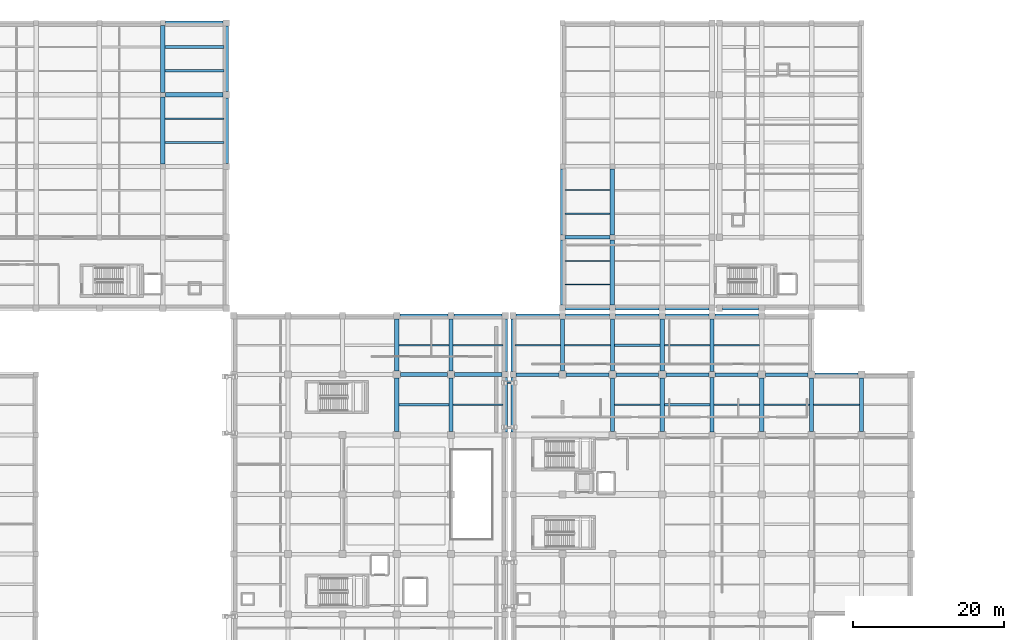
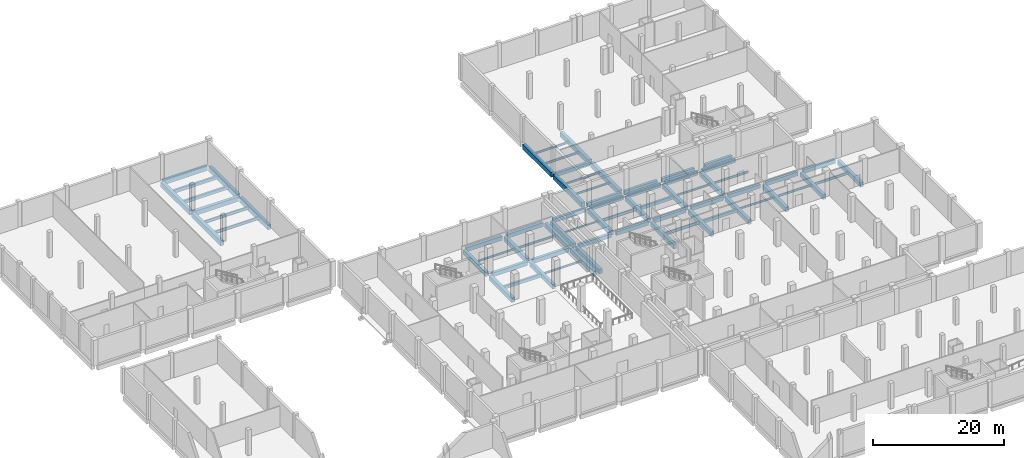
# One storey, part 8 of 31: 72 beams.
"""IFC4 building model written with IfcOpenShell, lengths in metres."""

from ifc_helpers import new_model, si_unit, direction, frame, origin, origin_2d, place, context, subcontext, project, spatial, rectangle, hollow_rectangle, i_section, extrude, material, material_profile, profile_set, type_object, element, save


model = new_model("IFC4")

# Units and contexts
model_context = context("Model", 3, precision=1e-05, world=origin(), true_north=direction((0.0, 1.0)))
body_context = subcontext(model_context, "Body", "Model", "MODEL_VIEW")
ifc_project = project(units=[si_unit("LENGTHUNIT", "METRE"), si_unit("AREAUNIT", "SQUARE_METRE"), si_unit("VOLUMEUNIT", "CUBIC_METRE"), si_unit("PLANEANGLEUNIT", "RADIAN"), si_unit("MASSUNIT", "GRAM", prefix="KILO")], contexts=[model_context])

# Site, building, storey
site_placement = place(None, origin())
site = spatial("IfcSite", under=ifc_project, at=site_placement, CompositionType="ELEMENT")
building_placement = place(site_placement, origin())
building = spatial("IfcBuilding", under=site, at=building_placement, Name="Kelarvand Opera House", CompositionType="ELEMENT")
storey_placement = place(building_placement, frame((0.0, 0.0, -4.800048828125)))
storey = spatial("IfcBuildingStorey", under=building, at=storey_placement, Name="B1", CompositionType="ELEMENT", Elevation=-4.800048828125)

# Beams
ifc_material_1 = material(Name="Concrete C35/45", Category="concrete")
ifc_material_profile_1 = material_profile(ifc_material_1, rectangle(XDim=0.35009765625, YDim=0.60009765625, at=origin_2d()), Name="RC 350x600", Category="concrete")
ifc_profile_set_1 = profile_set([ifc_material_profile_1], Name="Concrete C35/45")
beam_type_1 = type_object("IfcBeamType", Name="Structural Beam RC 350x600 BM-RC350x600", PredefinedType="BEAM", material=ifc_profile_set_1)
beam_1_placement = place(storey_placement, frame((102.47509765625, 82.300048828125, -0.599853515625), z_axis=(1.0, 0.0, 0.0), x_axis=(0.0, 1.0, 0.0)))
element("IfcBeam", 1, at=beam_1_placement, inside=storey, type_object=beam_type_1, Name="V1 B1 Beam BM-RC350x600", PredefinedType="BEAM", context=body_context, shape_type="SweptSolid", body=[
    extrude(rectangle(XDim=0.35009765625, YDim=0.60009765625, at=origin_2d()), origin(), (0.0, 0.0, 1.0), 6.0498046875),
])
beam_2_placement = place(storey_placement, frame((109.074951171875, 74.39990234375, -0.599853515625), z_axis=(1.0, 0.0, 0.0), x_axis=(0.0, 1.0, 0.0)))
element("IfcBeam", 2, at=beam_2_placement, inside=storey, type_object=beam_type_1, Name="V1 B1 Beam BM-RC350x600", PredefinedType="BEAM", context=body_context, shape_type="SweptSolid", body=[
    extrude(rectangle(XDim=0.35009765625, YDim=0.60009765625, at=origin_2d()), origin(), (0.0, 0.0, 1.0), 6.050048828125),
])
beam_3_placement = place(storey_placement, frame((73.875, 74.39990234375, -0.599853515625), z_axis=(1.0, 0.0, 0.0), x_axis=(0.0, 1.0, 0.0)))
element("IfcBeam", 3, at=beam_3_placement, inside=storey, type_object=beam_type_1, Name="V2 B1 Beam BM-RC350x600", PredefinedType="BEAM", context=body_context, shape_type="SweptSolid", body=[
    extrude(rectangle(XDim=0.35009765625, YDim=0.60009765625, at=origin_2d()), origin(), (0.0, 0.0, 1.0), 6.64990234375),
])
for number, where, z_axis, x_axis, name in (
    (4, (42.89990234375, 118.666748046875, -0.599853515625), (1.0, 0.0, 0.0), (0.0, 1.0, 0.0), "V3 B1 Beam BM-RC350x600"),
    (5, (42.89990234375, 121.833251953125, -0.599853515625), (1.0, 0.0, 0.0), (0.0, 1.0, 0.0), "V3 B1 Beam BM-RC350x600"),
):
    element("IfcBeam", number, at=place(storey_placement, frame(where, z_axis=z_axis, x_axis=x_axis)), inside=storey, type_object=beam_type_1, Name=name, PredefinedType="BEAM", context=body_context, shape_type="SweptSolid", body=[
        extrude(rectangle(XDim=0.35009765625, YDim=0.60009765625, at=origin_2d()), origin(), (0.0, 0.0, 1.0), 7.800048828125),
    ])
ifc_material_2 = material(Name="Concrete C40/50", Category="concrete")
ifc_material_profile_2 = material_profile(ifc_material_2, rectangle(XDim=0.449951171875, YDim=0.699951171875, at=origin_2d()), Name="RC 450x700", Category="concrete")
ifc_profile_set_2 = profile_set([ifc_material_profile_2], Name="Concrete C40/50")
beam_type_2 = type_object("IfcBeamType", Name="Structural Beam RC 450x700 BM-RC450x700", PredefinedType="BEAM", material=ifc_profile_set_2)
beam_4_placement = place(storey_placement, frame((89.409912109375, 78.39990234375, -0.64990234375), z_axis=(1.0, 0.0, 0.0), x_axis=(0.0, 1.0, 0.0)))
element("IfcBeam", 6, at=beam_4_placement, inside=storey, type_object=beam_type_2, Name="V1 B1 Beam BM-RC450x700", PredefinedType="BEAM", context=body_context, shape_type="SweptSolid", body=[
    extrude(rectangle(XDim=0.449951171875, YDim=0.699951171875, at=origin_2d()), origin(), (0.0, 0.0, 1.0), 5.715087890625),
])
beam_5_placement = place(storey_placement, frame((96.074951171875, 78.39990234375, -0.64990234375), z_axis=(1.0, 0.0, 0.0), x_axis=(0.0, 1.0, 0.0)))
element("IfcBeam", 7, at=beam_5_placement, inside=storey, type_object=beam_type_2, Name="V1 B1 Beam BM-RC450x700", PredefinedType="BEAM", context=body_context, shape_type="SweptSolid", body=[
    extrude(rectangle(XDim=0.449951171875, YDim=0.699951171875, at=origin_2d()), origin(), (0.0, 0.0, 1.0), 5.650146484375),
])
beam_6_placement = place(storey_placement, frame((102.675048828125, 78.39990234375, -0.64990234375), z_axis=(1.0, 0.0, 0.0), x_axis=(0.0, 1.0, 0.0)))
element("IfcBeam", 8, at=beam_6_placement, inside=storey, type_object=beam_type_2, Name="V1 B1 Beam BM-RC450x700", PredefinedType="BEAM", context=body_context, shape_type="SweptSolid", body=[
    extrude(rectangle(XDim=0.449951171875, YDim=0.699951171875, at=origin_2d()), origin(), (0.0, 0.0, 1.0), 5.64990234375),
])
beam_7_placement = place(storey_placement, frame((109.27490234375, 78.39990234375, -0.64990234375), z_axis=(1.0, 0.0, 0.0), x_axis=(0.0, 1.0, 0.0)))
element("IfcBeam", 9, at=beam_7_placement, inside=storey, type_object=beam_type_2, Name="V1 B1 Beam BM-RC450x700", PredefinedType="BEAM", context=body_context, shape_type="SweptSolid", body=[
    extrude(rectangle(XDim=0.449951171875, YDim=0.699951171875, at=origin_2d()), origin(), (0.0, 0.0, 1.0), 5.715087890625),
])
beam_8_placement = place(storey_placement, frame((115.81005859375, 78.39990234375, -0.64990234375), z_axis=(1.0, 0.0, 0.0), x_axis=(0.0, 1.0, 0.0)))
element("IfcBeam", 10, at=beam_8_placement, inside=storey, type_object=beam_type_2, Name="V1 B1 Beam BM-RC450x700", PredefinedType="BEAM", context=body_context, shape_type="SweptSolid", body=[
    extrude(rectangle(XDim=0.449951171875, YDim=0.699951171875, at=origin_2d()), origin(), (0.0, 0.0, 1.0), 5.71484375),
])
beam_9_placement = place(storey_placement, frame((122.47509765625, 78.39990234375, -0.64990234375), z_axis=(1.0, 0.0, 0.0), x_axis=(0.0, 1.0, 0.0)))
element("IfcBeam", 11, at=beam_9_placement, inside=storey, type_object=beam_type_2, Name="V1 B1 Beam BM-RC450x700", PredefinedType="BEAM", context=body_context, shape_type="SweptSolid", body=[
    extrude(rectangle(XDim=0.449951171875, YDim=0.699951171875, at=origin_2d()), origin(), (0.0, 0.0, 1.0), 5.64990234375),
])
beam_10_placement = place(storey_placement, frame((129.074951171875, 78.39990234375, -0.64990234375), z_axis=(1.0, 0.0, 0.0), x_axis=(0.0, 1.0, 0.0)))
element("IfcBeam", 12, at=beam_10_placement, inside=storey, type_object=beam_type_2, Name="V1 B1 Beam BM-RC450x700", PredefinedType="BEAM", context=body_context, shape_type="SweptSolid", body=[
    extrude(rectangle(XDim=0.449951171875, YDim=0.699951171875, at=origin_2d()), origin(), (0.0, 0.0, 1.0), 5.650146484375),
])
for number, where, z_axis, x_axis, name in (
    (13, (89.409912109375, 86.199951171875, -0.64990234375), (1.0, 0.0, 0.0), (0.0, 1.0, 0.0), "V1 B1 Beam BM-RC450x700"),
    (14, (96.010009765625, 86.199951171875, -0.64990234375), (1.0, 0.0, 0.0), (0.0, 1.0, 0.0), "V1 B1 Beam BM-RC450x700"),
):
    element("IfcBeam", number, at=place(storey_placement, frame(where, z_axis=z_axis, x_axis=x_axis)), inside=storey, type_object=beam_type_2, Name=name, PredefinedType="BEAM", context=body_context, shape_type="SweptSolid", body=[
        extrude(rectangle(XDim=0.449951171875, YDim=0.699951171875, at=origin_2d()), origin(), (0.0, 0.0, 1.0), 5.780029296875),
    ])
beam_11_placement = place(storey_placement, frame((102.610107421875, 86.199951171875, -0.64990234375), z_axis=(1.0, 0.0, 0.0), x_axis=(0.0, 1.0, 0.0)))
element("IfcBeam", 15, at=beam_11_placement, inside=storey, type_object=beam_type_2, Name="V1 B1 Beam BM-RC450x700", PredefinedType="BEAM", context=body_context, shape_type="SweptSolid", body=[
    extrude(rectangle(XDim=0.449951171875, YDim=0.699951171875, at=origin_2d()), origin(), (0.0, 0.0, 1.0), 5.77978515625),
])
for number, where, z_axis, x_axis, name in (
    (16, (109.2099609375, 86.199951171875, -0.64990234375), (1.0, 0.0, 0.0), (0.0, 1.0, 0.0), "V1 B1 Beam BM-RC450x700"),
    (17, (115.81005859375, 86.199951171875, -0.64990234375), (1.0, 0.0, 0.0), (0.0, 1.0, 0.0), "V1 B1 Beam BM-RC450x700"),
    (18, (96.010009765625, 87.199951171875, -0.64990234375), (1.0, 0.0, 0.0), (0.0, 1.0, 0.0), "V5 B1 Beam BM-RC450x700"),
):
    element("IfcBeam", number, at=place(storey_placement, frame(where, z_axis=z_axis, x_axis=x_axis)), inside=storey, type_object=beam_type_2, Name=name, PredefinedType="BEAM", context=body_context, shape_type="SweptSolid", body=[
        extrude(rectangle(XDim=0.449951171875, YDim=0.699951171875, at=origin_2d()), origin(), (0.0, 0.0, 1.0), 5.780029296875),
    ])
beam_12_placement = place(storey_placement, frame((102.610107421875, 87.199951171875, -0.64990234375), z_axis=(1.0, 0.0, 0.0), x_axis=(0.0, 1.0, 0.0)))
element("IfcBeam", 19, at=beam_12_placement, inside=storey, type_object=beam_type_2, Name="V5 B1 Beam BM-RC450x700", PredefinedType="BEAM", context=body_context, shape_type="SweptSolid", body=[
    extrude(rectangle(XDim=0.449951171875, YDim=0.699951171875, at=origin_2d()), origin(), (0.0, 0.0, 1.0), 5.77978515625),
])
beam_13_placement = place(storey_placement, frame((109.2099609375, 87.199951171875, -0.64990234375), z_axis=(1.0, 0.0, 0.0), x_axis=(0.0, 1.0, 0.0)))
element("IfcBeam", 20, at=beam_13_placement, inside=storey, type_object=beam_type_2, Name="V5 B1 Beam BM-RC450x700", PredefinedType="BEAM", context=body_context, shape_type="SweptSolid", body=[
    extrude(rectangle(XDim=0.449951171875, YDim=0.699951171875, at=origin_2d()), origin(), (0.0, 0.0, 1.0), 5.780029296875),
])
beam_14_placement = place(storey_placement, frame((116.81005859375, 87.199951171875, -0.64990234375), z_axis=(1.0, 0.0, 0.0), x_axis=(0.0, 1.0, 0.0)))
element("IfcBeam", 21, at=beam_14_placement, inside=storey, type_object=beam_type_2, Name="V5 B1 Beam BM-RC450x700", PredefinedType="BEAM", context=body_context, shape_type="SweptSolid", body=[
    extrude(rectangle(XDim=0.449951171875, YDim=0.699951171875, at=origin_2d()), origin(), (0.0, 0.0, 1.0), 4.780029296875),
])
beam_15_placement = place(storey_placement, frame((95.925048828125, 96.60009765625, -0.64990234375), z_axis=(1.0, 0.0, 0.0), x_axis=(0.0, 1.0, 0.0)))
element("IfcBeam", 22, at=beam_15_placement, inside=storey, type_object=beam_type_2, Name="V5 B1 Beam BM-RC450x700", PredefinedType="BEAM", context=body_context, shape_type="SweptSolid", body=[
    extrude(rectangle(XDim=0.449951171875, YDim=0.699951171875, at=origin_2d()), origin(), (0.0, 0.0, 1.0), 5.949951171875),
])
ifc_material_profile_3 = material_profile(ifc_material_2, rectangle(XDim=0.5, YDim=0.75, at=origin_2d()), Name="RC 500x750", Category="concrete")
ifc_profile_set_3 = profile_set([ifc_material_profile_3], Name="Concrete C40/50")
beam_type_3 = type_object("IfcBeamType", Name="Structural Beam RC 500x750 BM-RC500x750", PredefinedType="BEAM", material=ifc_profile_set_3)
beam_16_placement = place(storey_placement, frame((74.074951171875, 78.39990234375, -0.675048828125), z_axis=(1.0, 0.0, 0.0), x_axis=(0.0, 1.0, 0.0)))
element("IfcBeam", 23, at=beam_16_placement, inside=storey, type_object=beam_type_3, Name="V2 B1 Beam BM-RC500x750", PredefinedType="BEAM", context=body_context, shape_type="SweptSolid", body=[
    extrude(rectangle(XDim=0.5, YDim=0.75, at=origin_2d()), origin(), (0.0, 0.0, 1.0), 6.25),
])
beam_17_placement = place(storey_placement, frame((81.27490234375, 78.39990234375, -0.675048828125), z_axis=(1.0, 0.0, 0.0), x_axis=(0.0, 1.0, 0.0)))
element("IfcBeam", 24, at=beam_17_placement, inside=storey, type_object=beam_type_3, Name="V2 B1 Beam BM-RC500x750", PredefinedType="BEAM", context=body_context, shape_type="SweptSolid", body=[
    extrude(rectangle(XDim=0.5, YDim=0.75, at=origin_2d()), origin(), (0.0, 0.0, 1.0), 6.315185546875),
])
beam_18_placement = place(storey_placement, frame((74.010009765625, 86.199951171875, -0.675048828125), z_axis=(1.0, 0.0, 0.0), x_axis=(0.0, 1.0, 0.0)))
element("IfcBeam", 25, at=beam_18_placement, inside=storey, type_object=beam_type_3, Name="V2 B1 Beam BM-RC500x750", PredefinedType="BEAM", context=body_context, shape_type="SweptSolid", body=[
    extrude(rectangle(XDim=0.5, YDim=0.75, at=origin_2d()), origin(), (0.0, 0.0, 1.0), 6.3798828125),
])
beam_19_placement = place(storey_placement, frame((81.2099609375, 86.199951171875, -0.675048828125), z_axis=(1.0, 0.0, 0.0), x_axis=(0.0, 1.0, 0.0)))
element("IfcBeam", 26, at=beam_19_placement, inside=storey, type_object=beam_type_3, Name="V2 B1 Beam BM-RC500x750", PredefinedType="BEAM", context=body_context, shape_type="SweptSolid", body=[
    extrude(rectangle(XDim=0.5, YDim=0.75, at=origin_2d()), origin(), (0.0, 0.0, 1.0), 6.380126953125),
])
ifc_material_profile_4 = material_profile(ifc_material_2, rectangle(XDim=0.550048828125, YDim=0.85009765625, at=origin_2d()), Name="RC 550x850", Category="concrete")
ifc_profile_set_4 = profile_set([ifc_material_profile_4], Name="Concrete C40/50")
beam_type_4 = type_object("IfcBeamType", Name="Structural Beam RC 550x850 BM-RC550x850", PredefinedType="BEAM", material=ifc_profile_set_4)
beam_20_placement = place(storey_placement, frame((89.0, 70.81005859375, -0.724853515625), z_axis=(0.0, 1.0, 0.0), x_axis=(-1.0, 0.0, 0.0)))
element("IfcBeam", 27, at=beam_20_placement, inside=storey, type_object=beam_type_4, Name="V1 B1 Beam BM-RC550x850", PredefinedType="BEAM", context=body_context, shape_type="SweptSolid", body=[
    extrude(rectangle(XDim=0.550048828125, YDim=0.85009765625, at=origin_2d()), origin(), (0.0, 0.0, 1.0), 7.179931640625),
])
beam_21_placement = place(storey_placement, frame((89.0, 78.81005859375, -0.724853515625), z_axis=(0.0, 1.0, 0.0), x_axis=(-1.0, 0.0, 0.0)))
element("IfcBeam", 28, at=beam_21_placement, inside=storey, type_object=beam_type_4, Name="V1 B1 Beam BM-RC550x850", PredefinedType="BEAM", context=body_context, shape_type="SweptSolid", body=[
    extrude(rectangle(XDim=0.550048828125, YDim=0.85009765625, at=origin_2d()), origin(), (0.0, 0.0, 1.0), 6.97998046875),
])
beam_22_placement = place(storey_placement, frame((95.60009765625, 78.875, -0.724853515625), z_axis=(0.0, 1.0, 0.0), x_axis=(-1.0, 0.0, 0.0)))
element("IfcBeam", 29, at=beam_22_placement, inside=storey, type_object=beam_type_4, Name="V1 B1 Beam BM-RC550x850", PredefinedType="BEAM", context=body_context, shape_type="SweptSolid", body=[
    extrude(rectangle(XDim=0.550048828125, YDim=0.85009765625, at=origin_2d()), origin(), (0.0, 0.0, 1.0), 6.9150390625),
])
beam_23_placement = place(storey_placement, frame((102.199951171875, 70.875, -0.724853515625), z_axis=(0.0, 1.0, 0.0), x_axis=(-1.0, 0.0, 0.0)))
element("IfcBeam", 30, at=beam_23_placement, inside=storey, type_object=beam_type_4, Name="V1 B1 Beam BM-RC550x850", PredefinedType="BEAM", context=body_context, shape_type="SweptSolid", body=[
    extrude(rectangle(XDim=0.550048828125, YDim=0.85009765625, at=origin_2d()), origin(), (0.0, 0.0, 1.0), 7.050048828125),
])
beam_24_placement = place(storey_placement, frame((102.199951171875, 78.875, -0.724853515625), z_axis=(0.0, 1.0, 0.0), x_axis=(-1.0, 0.0, 0.0)))
element("IfcBeam", 31, at=beam_24_placement, inside=storey, type_object=beam_type_4, Name="V1 B1 Beam BM-RC550x850", PredefinedType="BEAM", context=body_context, shape_type="SweptSolid", body=[
    extrude(rectangle(XDim=0.550048828125, YDim=0.85009765625, at=origin_2d()), origin(), (0.0, 0.0, 1.0), 6.9150390625),
])
beam_25_placement = place(storey_placement, frame((108.800048828125, 70.875, -0.724853515625), z_axis=(0.0, 1.0, 0.0), x_axis=(-1.0, 0.0, 0.0)))
element("IfcBeam", 32, at=beam_25_placement, inside=storey, type_object=beam_type_4, Name="V1 B1 Beam BM-RC550x850", PredefinedType="BEAM", context=body_context, shape_type="SweptSolid", body=[
    extrude(rectangle(XDim=0.550048828125, YDim=0.85009765625, at=origin_2d()), origin(), (0.0, 0.0, 1.0), 7.050048828125),
])
beam_26_placement = place(storey_placement, frame((108.800048828125, 78.875, -0.724853515625), z_axis=(0.0, 1.0, 0.0), x_axis=(-1.0, 0.0, 0.0)))
element("IfcBeam", 33, at=beam_26_placement, inside=storey, type_object=beam_type_4, Name="V1 B1 Beam BM-RC550x850", PredefinedType="BEAM", context=body_context, shape_type="SweptSolid", body=[
    extrude(rectangle(XDim=0.550048828125, YDim=0.85009765625, at=origin_2d()), origin(), (0.0, 0.0, 1.0), 6.9150390625),
])
beam_27_placement = place(storey_placement, frame((115.39990234375, 70.81005859375, -0.724853515625), z_axis=(0.0, 1.0, 0.0), x_axis=(-1.0, 0.0, 0.0)))
element("IfcBeam", 34, at=beam_27_placement, inside=storey, type_object=beam_type_4, Name="V1 B1 Beam BM-RC550x850", PredefinedType="BEAM", context=body_context, shape_type="SweptSolid", body=[
    extrude(rectangle(XDim=0.550048828125, YDim=0.85009765625, at=origin_2d()), origin(), (0.0, 0.0, 1.0), 7.179931640625),
])
beam_28_placement = place(storey_placement, frame((115.39990234375, 78.81005859375, -0.724853515625), z_axis=(0.0, 1.0, 0.0), x_axis=(-1.0, 0.0, 0.0)))
element("IfcBeam", 35, at=beam_28_placement, inside=storey, type_object=beam_type_4, Name="V1 B1 Beam BM-RC550x850", PredefinedType="BEAM", context=body_context, shape_type="SweptSolid", body=[
    extrude(rectangle(XDim=0.550048828125, YDim=0.85009765625, at=origin_2d()), origin(), (0.0, 0.0, 1.0), 6.97998046875),
])
for number, where, z_axis, x_axis, name in (
    (36, (122.0, 70.875, -0.724853515625), (0.0, 1.0, 0.0), (-1.0, 0.0, 0.0), "V1 B1 Beam BM-RC550x850"),
    (37, (128.60009765625, 70.875, -0.724853515625), (0.0, 1.0, 0.0), (-1.0, 0.0, 0.0), "V1 B1 Beam BM-RC550x850"),
    (38, (135.199951171875, 70.875, -0.724853515625), (0.0, 1.0, 0.0), (-1.0, 0.0, 0.0), "V1 B1 Beam BM-RC550x850"),
    (39, (73.60009765625, 70.875, -0.724853515625), (0.0, 1.0, 0.0), (-1.0, 0.0, 0.0), "V2 B1 Beam BM-RC550x850"),
):
    element("IfcBeam", number, at=place(storey_placement, frame(where, z_axis=z_axis, x_axis=x_axis)), inside=storey, type_object=beam_type_4, Name=name, PredefinedType="BEAM", context=body_context, shape_type="SweptSolid", body=[
        extrude(rectangle(XDim=0.550048828125, YDim=0.85009765625, at=origin_2d()), origin(), (0.0, 0.0, 1.0), 7.050048828125),
    ])
beam_29_placement = place(storey_placement, frame((73.60009765625, 78.875, -0.724853515625), z_axis=(0.0, 1.0, 0.0), x_axis=(-1.0, 0.0, 0.0)))
element("IfcBeam", 40, at=beam_29_placement, inside=storey, type_object=beam_type_4, Name="V2 B1 Beam BM-RC550x850", PredefinedType="BEAM", context=body_context, shape_type="SweptSolid", body=[
    extrude(rectangle(XDim=0.550048828125, YDim=0.85009765625, at=origin_2d()), origin(), (0.0, 0.0, 1.0), 6.9150390625),
])
beam_30_placement = place(storey_placement, frame((80.800048828125, 70.875, -0.724853515625), z_axis=(0.0, 1.0, 0.0), x_axis=(-1.0, 0.0, 0.0)))
element("IfcBeam", 41, at=beam_30_placement, inside=storey, type_object=beam_type_4, Name="V2 B1 Beam BM-RC550x850", PredefinedType="BEAM", context=body_context, shape_type="SweptSolid", body=[
    extrude(rectangle(XDim=0.550048828125, YDim=0.85009765625, at=origin_2d()), origin(), (0.0, 0.0, 1.0), 7.050048828125),
])
beam_31_placement = place(storey_placement, frame((80.800048828125, 78.875, -0.724853515625), z_axis=(0.0, 1.0, 0.0), x_axis=(-1.0, 0.0, 0.0)))
element("IfcBeam", 42, at=beam_31_placement, inside=storey, type_object=beam_type_4, Name="V2 B1 Beam BM-RC550x850", PredefinedType="BEAM", context=body_context, shape_type="SweptSolid", body=[
    extrude(rectangle(XDim=0.550048828125, YDim=0.85009765625, at=origin_2d()), origin(), (0.0, 0.0, 1.0), 6.9150390625),
])
beam_32_placement = place(storey_placement, frame((88.0, 70.81005859375, -0.724853515625), z_axis=(0.0, 1.0, 0.0), x_axis=(-1.0, 0.0, 0.0)))
element("IfcBeam", 43, at=beam_32_placement, inside=storey, type_object=beam_type_4, Name="V2 B1 Beam BM-RC550x850", PredefinedType="BEAM", context=body_context, shape_type="SweptSolid", body=[
    extrude(rectangle(XDim=0.550048828125, YDim=0.85009765625, at=origin_2d()), origin(), (0.0, 0.0, 1.0), 7.179931640625),
])
beam_33_placement = place(storey_placement, frame((88.0, 78.81005859375, -0.724853515625), z_axis=(0.0, 1.0, 0.0), x_axis=(-1.0, 0.0, 0.0)))
element("IfcBeam", 44, at=beam_33_placement, inside=storey, type_object=beam_type_4, Name="V2 B1 Beam BM-RC550x850", PredefinedType="BEAM", context=body_context, shape_type="SweptSolid", body=[
    extrude(rectangle(XDim=0.550048828125, YDim=0.85009765625, at=origin_2d()), origin(), (0.0, 0.0, 1.0), 6.97998046875),
])
for number, where, z_axis, x_axis, name in (
    (45, (42.925048828125, 115.5, -0.724853515625), (1.0, 0.0, 0.0), (0.0, 1.0, 0.0), "V3 B1 Beam BM-RC550x850"),
    (46, (42.925048828125, 125.0, -0.724853515625), (1.0, 0.0, 0.0), (0.0, 1.0, 0.0), "V3 B1 Beam BM-RC550x850"),
):
    element("IfcBeam", number, at=place(storey_placement, frame(where, z_axis=z_axis, x_axis=x_axis)), inside=storey, type_object=beam_type_4, Name=name, PredefinedType="BEAM", context=body_context, shape_type="SweptSolid", body=[
        extrude(rectangle(XDim=0.550048828125, YDim=0.85009765625, at=origin_2d()), origin(), (0.0, 0.0, 1.0), 7.6650390625),
    ])
ifc_material_profile_5 = material_profile(ifc_material_2, rectangle(XDim=0.60009765625, YDim=0.89990234375, at=origin_2d()), Name="RC 600x900", Category="concrete")
ifc_profile_set_5 = profile_set([ifc_material_profile_5], Name="Concrete C40/50")
beam_type_5 = type_object("IfcBeamType", Name="Structural Beam RC 600x900 BM-RC600x900", PredefinedType="BEAM", material=ifc_profile_set_5)
for number, where, z_axis, x_axis, name in (
    (47, (42.60009765625, 106.324951171875, -0.75), (0.0, 1.0, 0.0), (-1.0, 0.0, 0.0), "V3 B1 Beam BM-RC600x900"),
    (48, (42.60009765625, 115.824951171875, -0.75), (0.0, 1.0, 0.0), (-1.0, 0.0, 0.0), "V3 B1 Beam BM-RC600x900"),
):
    element("IfcBeam", number, at=place(storey_placement, frame(where, z_axis=z_axis, x_axis=x_axis)), inside=storey, type_object=beam_type_5, Name=name, PredefinedType="BEAM", context=body_context, shape_type="SweptSolid", body=[
        extrude(rectangle(XDim=0.60009765625, YDim=0.89990234375, at=origin_2d()), origin(), (0.0, 0.0, 1.0), 8.85009765625),
    ])
for number, where, z_axis, x_axis, name in (
    (49, (51.0, 106.409912109375, -0.75), (0.0, 1.0, 0.0), (-1.0, 0.0, 0.0), "V3 B1 Beam BM-RC600x900"),
    (50, (51.0, 115.909912109375, -0.75), (0.0, 1.0, 0.0), (-1.0, 0.0, 0.0), "V3 B1 Beam BM-RC600x900"),
):
    element("IfcBeam", number, at=place(storey_placement, frame(where, z_axis=z_axis, x_axis=x_axis)), inside=storey, type_object=beam_type_5, Name=name, PredefinedType="BEAM", context=body_context, shape_type="SweptSolid", body=[
        extrude(rectangle(XDim=0.60009765625, YDim=0.89990234375, at=origin_2d()), origin(), (0.0, 0.0, 1.0), 8.68017578125),
    ])
beam_34_placement = place(storey_placement, frame((95.60009765625, 87.610107421875, -0.75), z_axis=(0.0, 1.0, 0.0), x_axis=(-1.0, 0.0, 0.0)))
element("IfcBeam", 51, at=beam_34_placement, inside=storey, type_object=beam_type_5, Name="V5 B1 Beam BM-RC600x900", PredefinedType="BEAM", context=body_context, shape_type="SweptSolid", body=[
    extrude(rectangle(XDim=0.60009765625, YDim=0.89990234375, at=origin_2d()), origin(), (0.0, 0.0, 1.0), 8.664794921875),
])
beam_35_placement = place(storey_placement, frame((95.60009765625, 96.925048828125, -0.75), z_axis=(0.0, 1.0, 0.0), x_axis=(-1.0, 0.0, 0.0)))
element("IfcBeam", 52, at=beam_35_placement, inside=storey, type_object=beam_type_5, Name="V5 B1 Beam BM-RC600x900", PredefinedType="BEAM", context=body_context, shape_type="SweptSolid", body=[
    extrude(rectangle(XDim=0.60009765625, YDim=0.89990234375, at=origin_2d()), origin(), (0.0, 0.0, 1.0), 8.75),
])
beam_36_placement = place(storey_placement, frame((102.199951171875, 87.610107421875, -0.75), z_axis=(0.0, 1.0, 0.0), x_axis=(-1.0, 0.0, 0.0)))
element("IfcBeam", 53, at=beam_36_placement, inside=storey, type_object=beam_type_5, Name="V5 B1 Beam BM-RC600x900", PredefinedType="BEAM", context=body_context, shape_type="SweptSolid", body=[
    extrude(rectangle(XDim=0.60009765625, YDim=0.89990234375, at=origin_2d()), origin(), (0.0, 0.0, 1.0), 8.664794921875),
])
beam_37_placement = place(storey_placement, frame((102.199951171875, 96.925048828125, -0.75), z_axis=(0.0, 1.0, 0.0), x_axis=(-1.0, 0.0, 0.0)))
element("IfcBeam", 54, at=beam_37_placement, inside=storey, type_object=beam_type_5, Name="V5 B1 Beam BM-RC600x900", PredefinedType="BEAM", context=body_context, shape_type="SweptSolid", body=[
    extrude(rectangle(XDim=0.60009765625, YDim=0.89990234375, at=origin_2d()), origin(), (0.0, 0.0, 1.0), 8.75),
])
ifc_material_3 = material(Name="Steel S355", Category="steel")
ifc_material_profile_6 = material_profile(ifc_material_3, hollow_rectangle(XDim=0.199951171875, YDim=0.39990234375, WallThickness=0.01611328125, at=origin_2d()), Name="RHS 400x200x16.0", Category="steel")
ifc_profile_set_6 = profile_set([ifc_material_profile_6], Name="Steel S355")
beam_type_6 = type_object("IfcBeamType", Name="Structural Beam RHS 400x200x16.0 BM-RHS400", PredefinedType="BEAM", material=ifc_profile_set_6)
beam_38_placement = place(storey_placement, frame((87.85009765625, 77.35009765625, -0.599853515625), z_axis=(1.0, 0.0, 0.0), x_axis=(0.0, 1.0, 0.0)))
element("IfcBeam", 55, at=beam_38_placement, inside=storey, type_object=beam_type_6, Name="Seismic Sliding Corbel Beam BR-JP-N B1 2", PredefinedType="BEAM", context=body_context, shape_type="SweptSolid", body=[
    extrude(hollow_rectangle(XDim=0.199951171875, YDim=0.39990234375, WallThickness=0.01611328125, at=origin_2d()), origin(), (0.0, 0.0, 1.0), 1.2998046875),
])
ifc_material_profile_7 = material_profile(ifc_material_3, i_section(OverallWidth=0.14990234375, OverallDepth=0.300048828125, WebThickness=0.007080078125, FlangeThickness=0.0107421875, at=origin_2d()), Name="IPE 300", Category="steel")
ifc_profile_set_7 = profile_set([ifc_material_profile_7], Name="Steel S355")
beam_type_7 = type_object("IfcBeamType", Name="Structural Joist IPE 300 JS-IPE300", PredefinedType="JOIST", material=ifc_profile_set_7)
beam_39_placement = place(storey_placement, frame((89.27490234375, 82.300048828125, -0.449951171875), z_axis=(1.0, 0.0, 0.0), x_axis=(0.0, 1.0, 0.0)))
element("IfcBeam", 56, at=beam_39_placement, inside=storey, type_object=beam_type_7, Name="V1 B1 Beam JS-IPE300", PredefinedType="JOIST", context=body_context, shape_type="SweptSolid", body=[
    extrude(i_section(OverallWidth=0.14990234375, OverallDepth=0.300048828125, WebThickness=0.007080078125, FlangeThickness=0.0107421875, at=origin_2d()), origin(), (0.0, 0.0, 1.0), 6.050048828125),
])
ifc_material_profile_8 = material_profile(ifc_material_3, i_section(OverallWidth=0.169921875, OverallDepth=0.360107421875, WebThickness=0.008056640625, FlangeThickness=0.0126953125, at=origin_2d()), Name="IPE 360", Category="steel")
ifc_profile_set_8 = profile_set([ifc_material_profile_8], Name="Steel S355")
beam_type_8 = type_object("IfcBeamType", Name="Structural Joist IPE 360 JS-IPE360", PredefinedType="JOIST", material=ifc_profile_set_8)
for number, where, z_axis, x_axis, name in (
    (57, (109.074951171875, 82.300048828125, -0.47998046875), (1.0, 0.0, 0.0), (0.0, 1.0, 0.0), "V1 B1 Beam JS-IPE360"),
    (58, (115.675048828125, 74.39990234375, -0.47998046875), (1.0, 0.0, 0.0), (0.0, 1.0, 0.0), "V1 B1 Beam JS-IPE360"),
):
    element("IfcBeam", number, at=place(storey_placement, frame(where, z_axis=z_axis, x_axis=x_axis)), inside=storey, type_object=beam_type_8, Name=name, PredefinedType="JOIST", context=body_context, shape_type="SweptSolid", body=[
        extrude(i_section(OverallWidth=0.169921875, OverallDepth=0.360107421875, WebThickness=0.008056640625, FlangeThickness=0.0126953125, at=origin_2d()), origin(), (0.0, 0.0, 1.0), 6.050048828125),
    ])
beam_40_placement = place(storey_placement, frame((73.875, 82.300048828125, -0.47998046875), z_axis=(1.0, 0.0, 0.0), x_axis=(0.0, 1.0, 0.0)))
element("IfcBeam", 59, at=beam_40_placement, inside=storey, type_object=beam_type_8, Name="V2 B1 Beam JS-IPE360", PredefinedType="JOIST", context=body_context, shape_type="SweptSolid", body=[
    extrude(i_section(OverallWidth=0.169921875, OverallDepth=0.360107421875, WebThickness=0.008056640625, FlangeThickness=0.0126953125, at=origin_2d()), origin(), (0.0, 0.0, 1.0), 6.64990234375),
])
beam_41_placement = place(storey_placement, frame((81.074951171875, 74.39990234375, -0.47998046875), z_axis=(1.0, 0.0, 0.0), x_axis=(0.0, 1.0, 0.0)))
element("IfcBeam", 60, at=beam_41_placement, inside=storey, type_object=beam_type_8, Name="V2 B1 Beam JS-IPE360", PredefinedType="JOIST", context=body_context, shape_type="SweptSolid", body=[
    extrude(i_section(OverallWidth=0.169921875, OverallDepth=0.360107421875, WebThickness=0.008056640625, FlangeThickness=0.0126953125, at=origin_2d()), origin(), (0.0, 0.0, 1.0), 6.650146484375),
])
for number, where, z_axis, x_axis, name in (
    (61, (95.89990234375, 90.333251953125, -0.47998046875), (1.0, 0.0, 0.0), (0.0, 1.0, 0.0), "V5 B1 Beam JS-IPE360"),
    (62, (95.89990234375, 93.466796875, -0.47998046875), (1.0, 0.0, 0.0), (0.0, 1.0, 0.0), "V5 B1 Beam JS-IPE360"),
):
    element("IfcBeam", number, at=place(storey_placement, frame(where, z_axis=z_axis, x_axis=x_axis)), inside=storey, type_object=beam_type_8, Name=name, PredefinedType="JOIST", context=body_context, shape_type="SweptSolid", body=[
        extrude(i_section(OverallWidth=0.169921875, OverallDepth=0.360107421875, WebThickness=0.008056640625, FlangeThickness=0.0126953125, at=origin_2d()), origin(), (0.0, 0.0, 1.0), 6.0),
    ])
ifc_material_profile_9 = material_profile(ifc_material_3, i_section(OverallWidth=0.179931640625, OverallDepth=0.39990234375, WebThickness=0.008544921875, FlangeThickness=0.013427734375, at=origin_2d()), Name="IPE 400", Category="steel")
ifc_profile_set_9 = profile_set([ifc_material_profile_9], Name="Steel S355")
beam_type_9 = type_object("IfcBeamType", Name="Structural Joist IPE 400 JS-IPE400", PredefinedType="JOIST", material=ifc_profile_set_9)
for number, where, z_axis, x_axis, name in (
    (63, (115.675048828125, 82.300048828125, -0.5), (1.0, 0.0, 0.0), (0.0, 1.0, 0.0), "V1 B1 Beam JS-IPE400"),
    (64, (122.27490234375, 74.39990234375, -0.5), (1.0, 0.0, 0.0), (0.0, 1.0, 0.0), "V1 B1 Beam JS-IPE400"),
):
    element("IfcBeam", number, at=place(storey_placement, frame(where, z_axis=z_axis, x_axis=x_axis)), inside=storey, type_object=beam_type_9, Name=name, PredefinedType="JOIST", context=body_context, shape_type="SweptSolid", body=[
        extrude(i_section(OverallWidth=0.179931640625, OverallDepth=0.39990234375, WebThickness=0.008544921875, FlangeThickness=0.013427734375, at=origin_2d()), origin(), (0.0, 0.0, 1.0), 6.050048828125),
    ])
beam_42_placement = place(storey_placement, frame((81.074951171875, 82.300048828125, -0.5), z_axis=(1.0, 0.0, 0.0), x_axis=(0.0, 1.0, 0.0)))
element("IfcBeam", 65, at=beam_42_placement, inside=storey, type_object=beam_type_9, Name="V2 B1 Beam JS-IPE400", PredefinedType="JOIST", context=body_context, shape_type="SweptSolid", body=[
    extrude(i_section(OverallWidth=0.179931640625, OverallDepth=0.39990234375, WebThickness=0.008544921875, FlangeThickness=0.013427734375, at=origin_2d()), origin(), (0.0, 0.0, 1.0), 6.650146484375),
])
for number, where, z_axis, x_axis, name in (
    (66, (95.89990234375, 99.7333984375, -0.5), (1.0, 0.0, 0.0), (0.0, 1.0, 0.0), "V5 B1 Beam JS-IPE400"),
    (67, (95.89990234375, 102.86669921875, -0.5), (1.0, 0.0, 0.0), (0.0, 1.0, 0.0), "V5 B1 Beam JS-IPE400"),
):
    element("IfcBeam", number, at=place(storey_placement, frame(where, z_axis=z_axis, x_axis=x_axis)), inside=storey, type_object=beam_type_9, Name=name, PredefinedType="JOIST", context=body_context, shape_type="SweptSolid", body=[
        extrude(i_section(OverallWidth=0.179931640625, OverallDepth=0.39990234375, WebThickness=0.008544921875, FlangeThickness=0.013427734375, at=origin_2d()), origin(), (0.0, 0.0, 1.0), 6.0),
    ])
ifc_material_profile_10 = material_profile(ifc_material_3, i_section(OverallWidth=0.18994140625, OverallDepth=0.449951171875, WebThickness=0.009521484375, FlangeThickness=0.0146484375, at=origin_2d()), Name="IPE 450", Category="steel")
ifc_profile_set_10 = profile_set([ifc_material_profile_10], Name="Steel S355")
beam_type_10 = type_object("IfcBeamType", Name="Structural Joist IPE 450 JS-IPE450", PredefinedType="JOIST", material=ifc_profile_set_10)
beam_43_placement = place(storey_placement, frame((128.875, 74.39990234375, -0.52490234375), z_axis=(1.0, 0.0, 0.0), x_axis=(0.0, 1.0, 0.0)))
element("IfcBeam", 68, at=beam_43_placement, inside=storey, type_object=beam_type_10, Name="V1 B1 Beam JS-IPE450", PredefinedType="JOIST", context=body_context, shape_type="SweptSolid", body=[
    extrude(i_section(OverallWidth=0.18994140625, OverallDepth=0.449951171875, WebThickness=0.009521484375, FlangeThickness=0.0146484375, at=origin_2d()), origin(), (0.0, 0.0, 1.0), 6.050048828125),
])
ifc_material_profile_11 = material_profile(ifc_material_3, i_section(OverallWidth=0.2099609375, OverallDepth=0.550048828125, WebThickness=0.010986328125, FlangeThickness=0.01708984375, at=origin_2d()), Name="IPE 550", Category="steel")
ifc_profile_set_11 = profile_set([ifc_material_profile_11], Name="Steel S355")
beam_type_11 = type_object("IfcBeamType", Name="Structural Joist IPE 550 JS-IPE550", PredefinedType="JOIST", material=ifc_profile_set_11)
beam_44_placement = place(storey_placement, frame((95.875, 82.300048828125, -0.574951171875), z_axis=(1.0, 0.0, 0.0), x_axis=(0.0, 1.0, 0.0)))
element("IfcBeam", 69, at=beam_44_placement, inside=storey, type_object=beam_type_11, Name="V1 B1 Beam JS-IPE550", PredefinedType="JOIST", context=body_context, shape_type="SweptSolid", body=[
    extrude(i_section(OverallWidth=0.2099609375, OverallDepth=0.550048828125, WebThickness=0.010986328125, FlangeThickness=0.01708984375, at=origin_2d()), origin(), (0.0, 0.0, 1.0), 6.050048828125),
])
beam_45_placement = place(storey_placement, frame((102.47509765625, 74.39990234375, -0.574951171875), z_axis=(1.0, 0.0, 0.0), x_axis=(0.0, 1.0, 0.0)))
element("IfcBeam", 70, at=beam_45_placement, inside=storey, type_object=beam_type_11, Name="V1 B1 Beam JS-IPE550", PredefinedType="JOIST", context=body_context, shape_type="SweptSolid", body=[
    extrude(i_section(OverallWidth=0.2099609375, OverallDepth=0.550048828125, WebThickness=0.010986328125, FlangeThickness=0.01708984375, at=origin_2d()), origin(), (0.0, 0.0, 1.0), 6.0498046875),
])
for number, where, z_axis, x_axis, name in (
    (71, (42.89990234375, 109.166748046875, -0.574951171875), (1.0, 0.0, 0.0), (0.0, 1.0, 0.0), "V3 B1 Beam JS-IPE550"),
    (72, (42.89990234375, 112.333251953125, -0.574951171875), (1.0, 0.0, 0.0), (0.0, 1.0, 0.0), "V3 B1 Beam JS-IPE550"),
):
    element("IfcBeam", number, at=place(storey_placement, frame(where, z_axis=z_axis, x_axis=x_axis)), inside=storey, type_object=beam_type_11, Name=name, PredefinedType="JOIST", context=body_context, shape_type="SweptSolid", body=[
        extrude(i_section(OverallWidth=0.2099609375, OverallDepth=0.550048828125, WebThickness=0.010986328125, FlangeThickness=0.01708984375, at=origin_2d()), origin(), (0.0, 0.0, 1.0), 7.800048828125),
    ])

save(model, "model.ifc")
